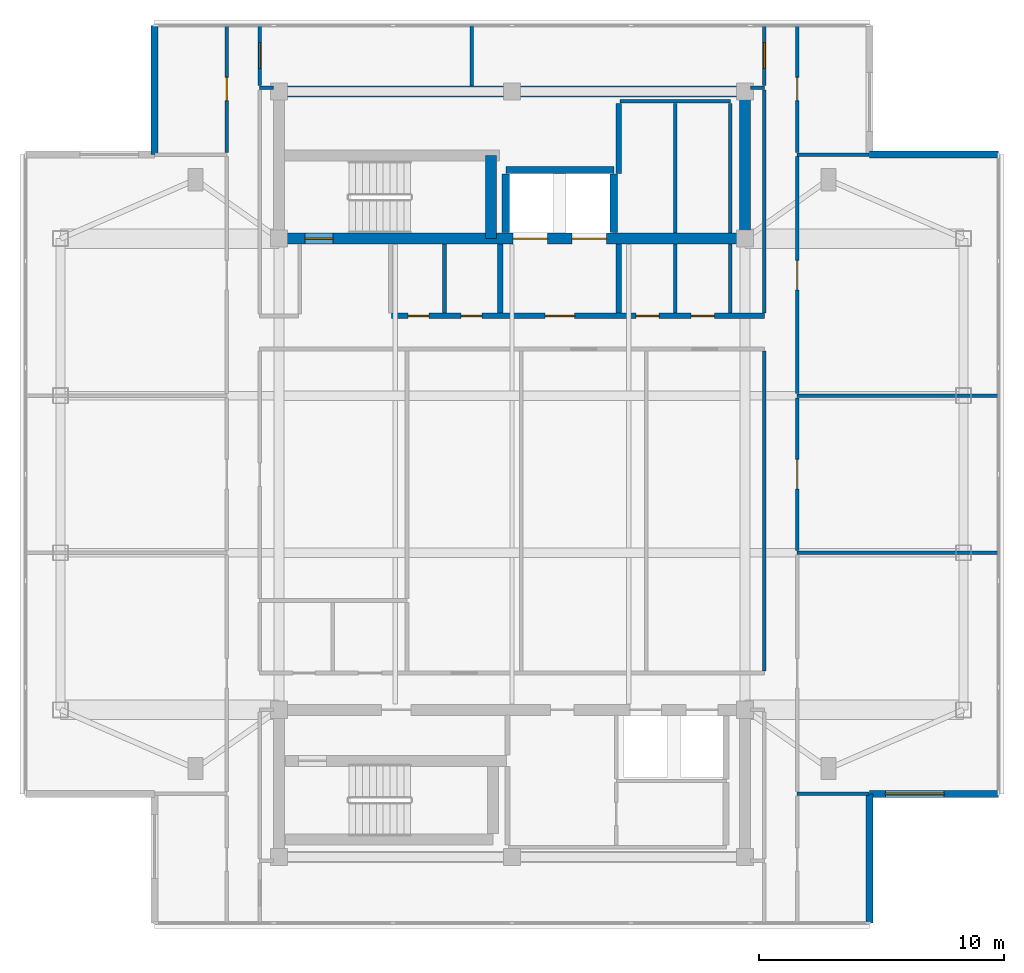
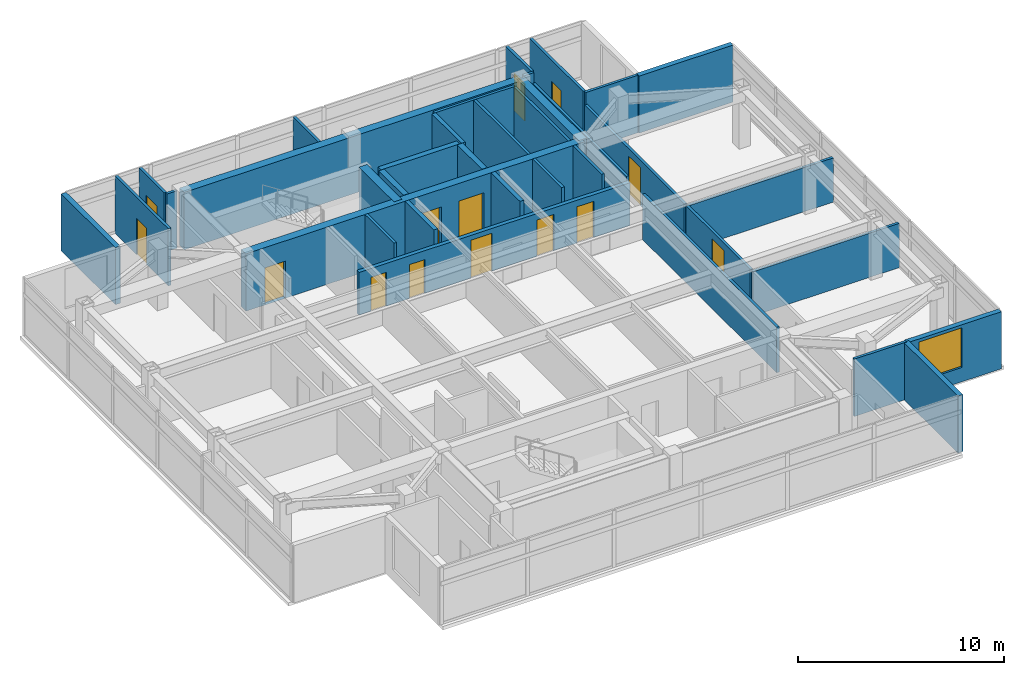
# One storey, part 6 of 10: 36 walls, 14 doors, 1 window, 15 openings.
"""IFC4 building model written with IfcOpenShell, lengths in metres."""

from ifc_helpers import new_model, si_unit, direction, frame, frame_2d, origin, place, context, subcontext, project, spatial, rectangle, extrude, material, layer, layer_set, type_object, element, fill, save


model = new_model("IFC4")

# Units and contexts
model_context = context("Model", 3, precision=1e-05, world=origin(), true_north=direction((0.0, 1.0)))
body_context = subcontext(model_context, "Body", "Model", "MODEL_VIEW")
ifc_project = project(units=[si_unit("LENGTHUNIT", "METRE"), si_unit("AREAUNIT", "SQUARE_METRE"), si_unit("VOLUMEUNIT", "CUBIC_METRE"), si_unit("PLANEANGLEUNIT", "RADIAN"), si_unit("MASSUNIT", "GRAM", prefix="KILO")], contexts=[model_context])

# Site, building, storey
site_placement = place(None, origin())
site = spatial("IfcSite", under=ifc_project, at=site_placement, CompositionType="ELEMENT")
building_placement = place(site_placement, origin())
building = spatial("IfcBuilding", under=site, at=building_placement, Name="Mirazonda Arch Towers", CompositionType="ELEMENT")
storey_placement = place(building_placement, frame((0.0, 0.0, 249.10009765625)))
storey = spatial("IfcBuildingStorey", under=building, at=storey_placement, Name="L71", CompositionType="ELEMENT", Elevation=249.10009765625)

# Walls
ifc_material_1 = material(Name="Concrete C50/60", Category="concrete")
ifc_layer_1 = layer(ifc_material_1, 0.449951171875, Name="WALL-CORE-450")
ifc_layer_set_1 = layer_set([ifc_layer_1], Name="Concrete C50/60")
wall_type_1 = type_object("IfcWallType", Name="WALL-CORE-450", PredefinedType="SHEAR", material=ifc_layer_set_1)
wall_1_placement = place(storey_placement, frame((11.0, 43.60009765625, 0.0), z_axis=(0.0, 0.0, 1.0), x_axis=(1.0, 0.0, 0.0)))
element("IfcWall", 1, at=wall_1_placement, inside=storey, type_object=wall_type_1, Name="L71 T1N-N Core Shear Wall", PredefinedType="SHEAR", context=body_context, shape_type="SweptSolid", body=[
    extrude(rectangle(XDim=19.0, YDim=0.449951171875, at=frame_2d((9.5, 0.0))), origin(), (0.0, 0.0, 1.0), 3.39990234375),
])
wall_2_placement = place(storey_placement, frame((30.0, 37.60009765625, 0.0), z_axis=(0.0, 0.0, 1.0), x_axis=(0.0, 1.0, 0.0)))
element("IfcWall", 2, at=wall_2_placement, inside=storey, type_object=wall_type_1, Name="L71 T1N-E Core Shear Wall", PredefinedType="SHEAR", context=body_context, shape_type="SweptSolid", body=[
    extrude(rectangle(XDim=6.0, YDim=0.449951171875, at=frame_2d((3.0, 0.0))), origin(), (0.0, 0.0, 1.0), 3.39990234375),
])

# Wall, openings, doors
wall_3_placement = place(storey_placement, frame((11.0, 37.60009765625, 0.0), z_axis=(0.0, 0.0, 1.0), x_axis=(1.0, 0.0, 0.0)))
wall_3 = element("IfcWall", 3, at=wall_3_placement, inside=storey, type_object=wall_type_1, Name="L71 T1N-S Core Shear Wall", PredefinedType="SHEAR", context=body_context, shape_type="SweptSolid", body=[
    extrude(rectangle(XDim=19.0, YDim=0.449951171875, at=frame_2d((9.5, 0.0))), origin(), (0.0, 0.0, 1.0), 3.39990234375),
])
opening_1_placement = place(wall_3_placement, frame((1.06005859375, 0.0, 0.0)))
opening_1 = element("IfcOpeningElement", 4, at=opening_1_placement, cuts=wall_3, Name="Opening DR-135", PredefinedType="OPENING", context=body_context, shape_type="SweptSolid", body=[
    extrude(rectangle(XDim=1.14990234375, YDim=2.199951171875, at=frame_2d((0.574951171875, 1.10009765625))), frame((0.0, 0.23486328125, 0.0), z_axis=(0.0, -1.0, 0.0), x_axis=(1.0, 0.0, 0.0)), (0.0, 0.0, 1.0), 0.469970703125),
])
opening_2_placement = place(wall_3_placement, frame((9.550048828125, 0.0, 0.0)))
opening_2 = element("IfcOpeningElement", 5, at=opening_2_placement, cuts=wall_3, Name="Opening LD-112", PredefinedType="OPENING", context=body_context, shape_type="SweptSolid", body=[
    extrude(rectangle(XDim=1.39990234375, YDim=2.35009765625, at=frame_2d((0.699951171875, 1.175048828125))), frame((0.0, 0.23486328125, 0.0), z_axis=(0.0, -1.0, 0.0), x_axis=(1.0, 0.0, 0.0)), (0.0, 0.0, 1.0), 0.469970703125),
])
opening_3_placement = place(wall_3_placement, frame((11.949951171875, 0.0, 0.0)))
opening_3 = element("IfcOpeningElement", 6, at=opening_3_placement, cuts=wall_3, Name="Opening LD-112", PredefinedType="OPENING", context=body_context, shape_type="SweptSolid", body=[
    extrude(rectangle(XDim=1.39990234375, YDim=2.35009765625, at=frame_2d((0.699951171875, 1.175048828125))), frame((0.0, 0.23486328125, 0.0), z_axis=(0.0, -1.0, 0.0), x_axis=(1.0, 0.0, 0.0)), (0.0, 0.0, 1.0), 0.469970703125),
])
ifc_material_2 = material(Name="Architectural Brushed Steel S355", Category="steel")
door_type_1 = type_object("IfcDoorType", Name="DOOR-LIFT-FFL-1400", OperationType="NOTDEFINED", PredefinedType="DOOR", material=ifc_material_2)
door_1_placement = place(opening_2_placement, origin())
door_1 = element("IfcDoor", 7, at=door_1_placement, inside=storey, type_object=door_type_1, Name="L71 Lift Landing Sliding Door FFL-T1", OperationType="DOUBLE_DOOR_SLIDING", OverallHeight=2.35009765625, OverallWidth=1.39990234375, PredefinedType="DOOR", context=body_context, shape_type="SweptSolid", body=[
    extrude(rectangle(XDim=1.39990234375, YDim=2.35009765625, at=frame_2d((0.699951171875, 1.175048828125))), frame((0.0, 0.02490234375, 0.0), z_axis=(0.0, -1.0, 0.0), x_axis=(1.0, 0.0, 0.0)), (0.0, 0.0, 1.0), 0.050048828125),
])
fill(opening_2, door_1)
door_2_placement = place(opening_3_placement, origin())
door_2 = element("IfcDoor", 8, at=door_2_placement, inside=storey, type_object=door_type_1, Name="L71 Lift Landing Sliding Door SVL-T1", OperationType="DOUBLE_DOOR_SLIDING", OverallHeight=2.35009765625, OverallWidth=1.39990234375, PredefinedType="DOOR", context=body_context, shape_type="SweptSolid", body=[
    extrude(rectangle(XDim=1.39990234375, YDim=2.35009765625, at=frame_2d((0.699951171875, 1.175048828125))), frame((0.0, 0.02490234375, 0.0), z_axis=(0.0, -1.0, 0.0), x_axis=(1.0, 0.0, 0.0)), (0.0, 0.0, 1.0), 0.050048828125),
])
fill(opening_3, door_2)
door_type_2 = type_object("IfcDoorType", Name="DOOR-STAIR-FD90-1150", OperationType="NOTDEFINED", PredefinedType="DOOR", material=ifc_material_2)
door_3_placement = place(opening_1_placement, origin())
door_3 = element("IfcDoor", 9, at=door_3_placement, inside=storey, type_object=door_type_2, Name="L71 Protected Exit Stair North Door", OperationType="SINGLE_SWING_LEFT", OverallHeight=2.199951171875, OverallWidth=1.14990234375, PredefinedType="DOOR", context=body_context, shape_type="SweptSolid", body=[
    extrude(rectangle(XDim=1.14990234375, YDim=2.199951171875, at=frame_2d((0.574951171875, 1.10009765625))), frame((0.0, 0.02490234375, 0.0), z_axis=(0.0, -1.0, 0.0), x_axis=(1.0, 0.0, 0.0)), (0.0, 0.0, 1.0), 0.050048828125),
])
fill(opening_1, door_3)

# Wall
wall_4_placement = place(storey_placement, frame((19.64990234375, 37.60009765625, 0.0), z_axis=(0.0, 0.0, 1.0), x_axis=(0.0, 1.0, 0.0)))
element("IfcWall", 10, at=wall_4_placement, inside=storey, type_object=wall_type_1, Name="L71 T1N-STE Core Shear Wall", PredefinedType="SHEAR", context=body_context, shape_type="SweptSolid", body=[
    extrude(rectangle(XDim=3.392822265625, YDim=0.449951171875, at=frame_2d((1.6962890625, 0.0))), origin(), (0.0, 0.0, 1.0), 3.39990234375),
])

# Wall, opening, window
ifc_material_3 = material(Name="Precast Concrete C40/50", Category="concrete")
ifc_layer_2 = layer(ifc_material_3, 0.280029296875, Name="WALL-EXT-WALL-280")
ifc_layer_set_2 = layer_set([ifc_layer_2], Name="Precast Concrete C40/50")
wall_type_2 = type_object("IfcWallType", Name="WALL-EXT-WALL-280", PredefinedType="SOLIDWALL", material=ifc_layer_set_2)
wall_5_placement = place(storey_placement, frame((35.06494140625, 14.97509765625, 0.0), z_axis=(0.0, 0.0, 1.0), x_axis=(1.0, 0.0, 0.0)))
wall_5 = element("IfcWall", 11, at=wall_5_placement, inside=storey, type_object=wall_type_2, Name="L71 T1 Corner Notch Return Wall WL-L71-T1-CSE1", PredefinedType="SOLIDWALL", context=body_context, shape_type="SweptSolid", body=[
    extrude(rectangle(XDim=5.26513671875, YDim=0.280029296875, at=frame_2d((2.632568359375, 0.0))), origin(), (0.0, 0.0, 1.0), 3.3798828125),
])
opening_4_placement = place(wall_5_placement, frame((0.64990234375, 0.0, 0.85009765625)))
opening_4 = element("IfcOpeningElement", 12, at=opening_4_placement, cuts=wall_5, Name="Opening WN-121", PredefinedType="OPENING", context=body_context, shape_type="SweptSolid", body=[
    extrude(rectangle(XDim=2.39990234375, YDim=2.35009765625, at=frame_2d((1.199951171875, 1.175048828125))), frame((0.0, 0.14990234375, 0.0), z_axis=(0.0, -1.0, 0.0), x_axis=(1.0, 0.0, 0.0)), (0.0, 0.0, 1.0), 0.300048828125),
])
ifc_material_4 = material(Name="Insulated Low-E Solar Glass", Category="glass")
window_type = type_object("IfcWindowType", Name="WIN-PENT-2400x2350", PartitioningType="SINGLE_PANEL", PredefinedType="WINDOW", material=ifc_material_4)
window_placement = place(opening_4_placement, origin())
window = element("IfcWindow", 13, at=window_placement, inside=storey, type_object=window_type, Name="L71 Punched Facade Window WN-L71-T1-CSE1", OverallHeight=2.35009765625, OverallWidth=2.39990234375, PartitioningType="SINGLE_PANEL", PredefinedType="WINDOW", context=body_context, shape_type="SweptSolid", body=[
    extrude(rectangle(XDim=2.39990234375, YDim=2.35009765625, at=frame_2d((1.199951171875, 1.175048828125))), frame((0.0, 0.030029296875, 0.0), z_axis=(0.0, -1.0, 0.0), x_axis=(1.0, 0.0, 0.0)), (0.0, 0.0, 1.0), 0.06005859375),
])
fill(opening_4, window)

# Walls
for number, where, z_axis, x_axis, name in (
    (14, (35.06494140625, 9.7099609375, 0.0), (0.0, 0.0, 1.0), (0.0, 1.0, 0.0), "L71 T1 Corner Notch Return Wall WL-L71-T1-CSE2"),
    (15, (5.93505859375, 46.2900390625, 0.0), (0.0, 0.0, 1.0), (0.0, -1.0, 0.0), "L71 T1 Corner Notch Return Wall WL-L71-T1-CNW2"),
    (16, (40.330078125, 41.02490234375, 0.0), (0.0, 0.0, 1.0), (-1.0, 0.0, 0.0), "L71 T1 Corner Notch Return Wall WL-L71-T1-CNE2"),
):
    element("IfcWall", number, at=place(storey_placement, frame(where, z_axis=z_axis, x_axis=x_axis)), inside=storey, type_object=wall_type_2, Name=name, PredefinedType="SOLIDWALL", context=body_context, shape_type="SweptSolid", body=[
        extrude(rectangle(XDim=5.26513671875, YDim=0.280029296875, at=frame_2d((2.632568359375, 0.0))), origin(), (0.0, 0.0, 1.0), 3.3798828125),
    ])

# Wall, openings, doors
ifc_material_5 = material(Name="Concrete C40/50", Category="concrete")
ifc_layer_3 = layer(ifc_material_5, 0.219970703125, Name="WALL-FFL-220")
ifc_layer_set_3 = layer_set([ifc_layer_3], Name="Concrete C40/50")
wall_type_3 = type_object("IfcWallType", Name="WALL-FFL-220", PredefinedType="SOLIDWALL", material=ifc_layer_set_3)
wall_6_placement = place(storey_placement, frame((15.590087890625, 34.449951171875, 0.0), z_axis=(0.0, 0.0, 1.0), x_axis=(1.0, 0.0, 0.0)))
wall_6 = element("IfcWall", 17, at=wall_6_placement, inside=storey, type_object=wall_type_3, Name="L71 Interior Partition 019", PredefinedType="SOLIDWALL", context=body_context, shape_type="SweptSolid", body=[
    extrude(rectangle(XDim=15.18994140625, YDim=0.219970703125, at=frame_2d((7.594970703125, 0.0))), origin(), (0.0, 0.0, 1.0), 2.535888671875),
])
opening_5_placement = place(wall_6_placement, frame((6.260009765625, 0.0, 0.0)))
opening_5 = element("IfcOpeningElement", 18, at=opening_5_placement, cuts=wall_6, Name="Opening DR-117", PredefinedType="OPENING", context=body_context, shape_type="SweptSolid", body=[
    extrude(rectangle(XDim=1.199951171875, YDim=2.25, at=frame_2d((0.60009765625, 1.125))), frame((0.0, 0.119873046875, 0.0), z_axis=(0.0, -1.0, 0.0), x_axis=(1.0, 0.0, 0.0)), (0.0, 0.0, 1.0), 0.239990234375),
])
opening_6_placement = place(wall_6_placement, frame((9.9599609375, 0.0, 0.0)))
opening_6 = element("IfcOpeningElement", 19, at=opening_6_placement, cuts=wall_6, Name="Opening DR-104", PredefinedType="OPENING", context=body_context, shape_type="SweptSolid", body=[
    extrude(rectangle(XDim=0.949951171875, YDim=2.14990234375, at=frame_2d((0.47509765625, 1.074951171875))), frame((0.0, 0.119873046875, 0.0), z_axis=(0.0, -1.0, 0.0), x_axis=(1.0, 0.0, 0.0)), (0.0, 0.0, 1.0), 0.239990234375),
])
opening_7_placement = place(wall_6_placement, frame((12.2099609375, 0.0, 0.0)))
opening_7 = element("IfcOpeningElement", 20, at=opening_7_placement, cuts=wall_6, Name="Opening DR-104", PredefinedType="OPENING", context=body_context, shape_type="SweptSolid", body=[
    extrude(rectangle(XDim=0.949951171875, YDim=2.14990234375, at=frame_2d((0.47509765625, 1.074951171875))), frame((0.0, 0.119873046875, 0.0), z_axis=(0.0, -1.0, 0.0), x_axis=(1.0, 0.0, 0.0)), (0.0, 0.0, 1.0), 0.239990234375),
])
opening_8_placement = place(wall_6_placement, frame((0.675048828125, 0.0, 0.0)))
opening_8 = element("IfcOpeningElement", 21, at=opening_8_placement, cuts=wall_6, Name="Opening DR-128", PredefinedType="OPENING", context=body_context, shape_type="SweptSolid", body=[
    extrude(rectangle(XDim=0.85009765625, YDim=2.010009765625, at=frame_2d((0.425048828125, 1.0048828125))), frame((0.0, 0.119873046875, 0.0), z_axis=(0.0, -1.0, 0.0), x_axis=(1.0, 0.0, 0.0)), (0.0, 0.0, 1.0), 0.239990234375),
])
opening_9_placement = place(wall_6_placement, frame((2.8349609375, 0.0, 0.0)))
opening_9 = element("IfcOpeningElement", 22, at=opening_9_placement, cuts=wall_6, Name="Opening DR-128", PredefinedType="OPENING", context=body_context, shape_type="SweptSolid", body=[
    extrude(rectangle(XDim=0.85009765625, YDim=2.010009765625, at=frame_2d((0.425048828125, 1.0048828125))), frame((0.0, 0.119873046875, 0.0), z_axis=(0.0, -1.0, 0.0), x_axis=(1.0, 0.0, 0.0)), (0.0, 0.0, 1.0), 0.239990234375),
])
door_type_3 = type_object("IfcDoorType", Name="DOOR-FFL-FD90-1200", OperationType="NOTDEFINED", PredefinedType="DOOR", material=ifc_material_2)
door_4_placement = place(opening_5_placement, origin())
door_4 = element("IfcDoor", 23, at=door_4_placement, inside=storey, type_object=door_type_3, Name="L71 Firefighting Lift Lobby Door", OperationType="SINGLE_SWING_RIGHT", OverallHeight=2.25, OverallWidth=1.199951171875, PredefinedType="DOOR", context=body_context, shape_type="SweptSolid", body=[
    extrude(rectangle(XDim=1.199951171875, YDim=2.25, at=frame_2d((0.60009765625, 1.125))), frame((0.0, 0.02490234375, 0.0), z_axis=(0.0, -1.0, 0.0), x_axis=(1.0, 0.0, 0.0)), (0.0, 0.0, 1.0), 0.050048828125),
])
fill(opening_5, door_4)
door_type_4 = type_object("IfcDoorType", Name="DOOR-RISER-FD60-850", OperationType="NOTDEFINED", PredefinedType="DOOR", material=ifc_material_2)
door_5_placement = place(opening_8_placement, origin())
door_5 = element("IfcDoor", 24, at=door_5_placement, inside=storey, type_object=door_type_4, Name="L71 Electrical Room Door", OperationType="SINGLE_SWING_LEFT", OverallHeight=2.010009765625, OverallWidth=0.85009765625, PredefinedType="DOOR", context=body_context, shape_type="SweptSolid", body=[
    extrude(rectangle(XDim=0.85009765625, YDim=2.010009765625, at=frame_2d((0.425048828125, 1.0048828125))), frame((0.0, 0.02490234375, 0.0), z_axis=(0.0, -1.0, 0.0), x_axis=(1.0, 0.0, 0.0)), (0.0, 0.0, 1.0), 0.050048828125),
])
fill(opening_8, door_5)
door_6_placement = place(opening_9_placement, origin())
door_6 = element("IfcDoor", 25, at=door_6_placement, inside=storey, type_object=door_type_4, Name="L71 Cleaners & Housekeeping Store Door", OperationType="SINGLE_SWING_RIGHT", OverallHeight=2.010009765625, OverallWidth=0.85009765625, PredefinedType="DOOR", context=body_context, shape_type="SweptSolid", body=[
    extrude(rectangle(XDim=0.85009765625, YDim=2.010009765625, at=frame_2d((0.425048828125, 1.0048828125))), frame((0.0, 0.02490234375, 0.0), z_axis=(0.0, -1.0, 0.0), x_axis=(1.0, 0.0, 0.0)), (0.0, 0.0, 1.0), 0.050048828125),
])
fill(opening_9, door_6)
door_type_5 = type_object("IfcDoorType", Name="DOOR-ROOM-950", OperationType="NOTDEFINED", PredefinedType="DOOR", material=ifc_material_2)
door_7_placement = place(opening_6_placement, origin())
door_7 = element("IfcDoor", 26, at=door_7_placement, inside=storey, type_object=door_type_5, Name="L71 Sky-Lookout Panorama Gallery Door", OperationType="SINGLE_SWING_LEFT", OverallHeight=2.14990234375, OverallWidth=0.949951171875, PredefinedType="DOOR", context=body_context, shape_type="SweptSolid", body=[
    extrude(rectangle(XDim=0.949951171875, YDim=2.14990234375, at=frame_2d((0.47509765625, 1.074951171875))), frame((0.0, 0.02490234375, 0.0), z_axis=(0.0, -1.0, 0.0), x_axis=(1.0, 0.0, 0.0)), (0.0, 0.0, 1.0), 0.050048828125),
])
fill(opening_6, door_7)
door_8_placement = place(opening_7_placement, origin())
door_8 = element("IfcDoor", 27, at=door_8_placement, inside=storey, type_object=door_type_5, Name="L71 Private Quiet Study Door", OperationType="SINGLE_SWING_RIGHT", OverallHeight=2.14990234375, OverallWidth=0.949951171875, PredefinedType="DOOR", context=body_context, shape_type="SweptSolid", body=[
    extrude(rectangle(XDim=0.949951171875, YDim=2.14990234375, at=frame_2d((0.47509765625, 1.074951171875))), frame((0.0, 0.02490234375, 0.0), z_axis=(0.0, -1.0, 0.0), x_axis=(1.0, 0.0, 0.0)), (0.0, 0.0, 1.0), 0.050048828125),
])
fill(opening_7, door_8)

# Walls
for number, where, z_axis, x_axis, name in (
    (28, (20.02490234375, 34.570068359375, 0.0), (0.0, 0.0, 1.0), (0.0, 1.0, 0.0), "L71 Interior Partition 045"),
    (29, (24.85009765625, 34.570068359375, 0.0), (0.0, 0.0, 1.0), (0.0, 1.0, 0.0), "L71 Interior Partition 053"),
):
    element("IfcWall", number, at=place(storey_placement, frame(where, z_axis=z_axis, x_axis=x_axis)), inside=storey, type_object=wall_type_3, Name=name, PredefinedType="SOLIDWALL", context=body_context, shape_type="SweptSolid", body=[
        extrude(rectangle(XDim=2.809814453125, YDim=0.219970703125, at=frame_2d((1.40478515625, 0.0))), origin(), (0.0, 0.0, 1.0), 3.39990234375),
    ])
wall_7_placement = place(storey_placement, frame((24.85009765625, 40.260009765625, 0.0), z_axis=(0.0, 0.0, 1.0), x_axis=(0.0, 1.0, 0.0)))
element("IfcWall", 30, at=wall_7_placement, inside=storey, type_object=wall_type_3, Name="L71 Interior Partition 054", PredefinedType="SOLIDWALL", context=body_context, shape_type="SweptSolid", body=[
    extrude(rectangle(XDim=2.85498046875, YDim=0.219970703125, at=frame_2d((1.427490234375, 0.0))), origin(), (0.0, 0.0, 1.0), 3.39990234375),
])
ifc_material_6 = material(Name="Fire-Rated Gypsum Stud Partition")
ifc_layer_4 = layer(ifc_material_6, 0.14990234375, Name="WALL-PART-CORR-150")
ifc_layer_set_4 = layer_set([ifc_layer_4], Name="Fire-Rated Gypsum Stud Partition")
wall_type_4 = type_object("IfcWallType", Name="WALL-PART-CORR-150", PredefinedType="PARTITIONING", material=ifc_layer_set_4)
wall_8_placement = place(storey_placement, frame((32.1201171875, 14.97509765625, 0.0), z_axis=(0.0, 0.0, 1.0), x_axis=(1.0, 0.0, 0.0)))
element("IfcWall", 31, at=wall_8_placement, inside=storey, type_object=wall_type_4, Name="L71 Interior Partition 006", PredefinedType="PARTITIONING", context=body_context, shape_type="SweptSolid", body=[
    extrude(rectangle(XDim=2.9248046875, YDim=0.14990234375, at=frame_2d((1.46240234375, 0.0))), origin(), (0.0, 0.0, 1.0), 3.39990234375),
])
for number, where, z_axis, x_axis, name in (
    (32, (32.1201171875, 24.800048828125, 0.0), (0.0, 0.0, 1.0), (1.0, 0.0, 0.0), "L71 Interior Partition 014"),
    (33, (32.1201171875, 31.199951171875, 0.0), (0.0, 0.0, 1.0), (1.0, 0.0, 0.0), "L71 Interior Partition 016"),
):
    element("IfcWall", number, at=place(storey_placement, frame(where, z_axis=z_axis, x_axis=x_axis)), inside=storey, type_object=wall_type_4, Name=name, PredefinedType="PARTITIONING", context=body_context, shape_type="SweptSolid", body=[
        extrude(rectangle(XDim=8.2099609375, YDim=0.14990234375, at=frame_2d((4.10498046875, 0.0))), origin(), (0.0, 0.0, 1.0), 2.618896484375),
    ])
wall_9_placement = place(storey_placement, frame((32.1201171875, 41.02490234375, 0.0), z_axis=(0.0, 0.0, 1.0), x_axis=(1.0, 0.0, 0.0)))
element("IfcWall", 34, at=wall_9_placement, inside=storey, type_object=wall_type_4, Name="L71 Interior Partition 022", PredefinedType="PARTITIONING", context=body_context, shape_type="SweptSolid", body=[
    extrude(rectangle(XDim=2.9248046875, YDim=0.14990234375, at=frame_2d((1.46240234375, 0.0))), origin(), (0.0, 0.0, 1.0), 3.39990234375),
])
wall_10_placement = place(storey_placement, frame((24.89990234375, 43.199951171875, 0.0), z_axis=(0.0, 0.0, 1.0), x_axis=(1.0, 0.0, 0.0)))
element("IfcWall", 35, at=wall_10_placement, inside=storey, type_object=wall_type_4, Name="L71 Interior Partition 023", PredefinedType="PARTITIONING", context=body_context, shape_type="SweptSolid", body=[
    extrude(rectangle(XDim=4.5, YDim=0.14990234375, at=frame_2d((2.25, 0.0))), origin(), (0.0, 0.0, 1.0), 3.39990234375),
])
for number, where, z_axis, x_axis, name in (
    (36, (10.219970703125, 43.75, 0.0), (0.0, 0.0, 1.0), (1.0, 0.0, 0.0), "L71 Interior Partition 024"),
    (37, (30.219970703125, 43.75, 0.0), (0.0, 0.0, 1.0), (1.0, 0.0, 0.0), "L71 Interior Partition 025"),
):
    element("IfcWall", number, at=place(storey_placement, frame(where, z_axis=z_axis, x_axis=x_axis)), inside=storey, type_object=wall_type_4, Name=name, PredefinedType="PARTITIONING", context=body_context, shape_type="SweptSolid", body=[
        extrude(rectangle(XDim=0.56005859375, YDim=0.14990234375, at=frame_2d((0.280029296875, 0.0))), origin(), (0.0, 0.0, 1.0), 3.39990234375),
    ])

# Wall, opening, door
wall_11_placement = place(storey_placement, frame((8.8798828125, 41.110107421875, 0.0), z_axis=(0.0, 0.0, 1.0), x_axis=(0.0, 1.0, 0.0)))
wall_11 = element("IfcWall", 38, at=wall_11_placement, inside=storey, type_object=wall_type_4, Name="L71 Interior Partition 030", PredefinedType="PARTITIONING", context=body_context, shape_type="SweptSolid", body=[
    extrude(rectangle(XDim=5.179931640625, YDim=0.14990234375, at=frame_2d((2.58984375, 0.0))), origin(), (0.0, 0.0, 1.0), 3.39990234375),
])
opening_10_placement = place(wall_11_placement, frame((2.114990234375, 0.0, 0.0)))
opening_10 = element("IfcOpeningElement", 39, at=opening_10_placement, cuts=wall_11, Name="Opening DR-104", PredefinedType="OPENING", context=body_context, shape_type="SweptSolid", body=[
    extrude(rectangle(XDim=0.949951171875, YDim=2.14990234375, at=frame_2d((0.47509765625, 1.074951171875))), frame((0.0, 0.0849609375, 0.0), z_axis=(0.0, -1.0, 0.0), x_axis=(1.0, 0.0, 0.0)), (0.0, 0.0, 1.0), 0.169921875),
])
door_9_placement = place(opening_10_placement, origin())
door_9 = element("IfcDoor", 40, at=door_9_placement, inside=storey, type_object=door_type_5, Name="L71 North Skyline Gallery Alcove West Door", OperationType="SINGLE_SWING_RIGHT", OverallHeight=2.14990234375, OverallWidth=0.949951171875, PredefinedType="DOOR", context=body_context, shape_type="SweptSolid", body=[
    extrude(rectangle(XDim=0.949951171875, YDim=2.14990234375, at=frame_2d((0.47509765625, 1.074951171875))), frame((0.0, 0.02490234375, 0.0), z_axis=(0.0, -1.0, 0.0), x_axis=(1.0, 0.0, 0.0)), (0.0, 0.0, 1.0), 0.050048828125),
])
fill(opening_10, door_9)

wall_12_placement = place(storey_placement, frame((10.219970703125, 43.8349609375, 0.0), z_axis=(0.0, 0.0, 1.0), x_axis=(0.0, 1.0, 0.0)))
wall_12 = element("IfcWall", 41, at=wall_12_placement, inside=storey, type_object=wall_type_4, Name="L71 Interior Partition 036", PredefinedType="PARTITIONING", context=body_context, shape_type="SweptSolid", body=[
    extrude(rectangle(XDim=2.455078125, YDim=0.14990234375, at=frame_2d((1.2275390625, 0.0))), origin(), (0.0, 0.0, 1.0), 3.39990234375),
])
opening_11_placement = place(wall_12_placement, frame((0.702392578125, 0.0, 0.0)))
opening_11 = element("IfcOpeningElement", 42, at=opening_11_placement, cuts=wall_12, Name="Opening DR-121", PredefinedType="OPENING", context=body_context, shape_type="SweptSolid", body=[
    extrude(rectangle(XDim=1.050048828125, YDim=2.199951171875, at=frame_2d((0.52490234375, 1.10009765625))), frame((0.0, 0.0849609375, 0.0), z_axis=(0.0, -1.0, 0.0), x_axis=(1.0, 0.0, 0.0)), (0.0, 0.0, 1.0), 0.169921875),
])
door_type_6 = type_object("IfcDoorType", Name="DOOR-SUITE-FD60-1050", OperationType="NOTDEFINED", PredefinedType="DOOR", material=ifc_material_2)
door_10_placement = place(opening_11_placement, origin())
door_10 = element("IfcDoor", 43, at=door_10_placement, inside=storey, type_object=door_type_6, Name="L71 North Skyline Gallery West Door", OperationType="SINGLE_SWING_RIGHT", OverallHeight=2.199951171875, OverallWidth=1.050048828125, PredefinedType="DOOR", context=body_context, shape_type="SweptSolid", body=[
    extrude(rectangle(XDim=1.050048828125, YDim=2.199951171875, at=frame_2d((0.52490234375, 1.10009765625))), frame((0.0, 0.02490234375, 0.0), z_axis=(0.0, -1.0, 0.0), x_axis=(1.0, 0.0, 0.0)), (0.0, 0.0, 1.0), 0.050048828125),
])
fill(opening_11, door_10)

# Walls
wall_13_placement = place(storey_placement, frame((17.75, 34.570068359375, 0.0), z_axis=(0.0, 0.0, 1.0), x_axis=(0.0, 1.0, 0.0)))
element("IfcWall", 44, at=wall_13_placement, inside=storey, type_object=wall_type_4, Name="L71 Interior Partition 042", PredefinedType="PARTITIONING", context=body_context, shape_type="SweptSolid", body=[
    extrude(rectangle(XDim=2.809814453125, YDim=0.14990234375, at=frame_2d((1.40478515625, 0.0))), origin(), (0.0, 0.0, 1.0), 3.39990234375),
])
wall_14_placement = place(storey_placement, frame((18.85498046875, 43.820068359375, 0.0), z_axis=(0.0, 0.0, 1.0), x_axis=(0.0, 1.0, 0.0)))
element("IfcWall", 45, at=wall_14_placement, inside=storey, type_object=wall_type_4, Name="L71 Interior Partition 043", PredefinedType="PARTITIONING", context=body_context, shape_type="SweptSolid", body=[
    extrude(rectangle(XDim=2.469970703125, YDim=0.14990234375, at=frame_2d((1.23486328125, 0.0))), origin(), (0.0, 0.0, 1.0), 3.39990234375),
])
wall_15_placement = place(storey_placement, frame((27.14990234375, 34.570068359375, 0.0), z_axis=(0.0, 0.0, 1.0), x_axis=(0.0, 1.0, 0.0)))
element("IfcWall", 46, at=wall_15_placement, inside=storey, type_object=wall_type_4, Name="L71 Interior Partition 056", PredefinedType="PARTITIONING", context=body_context, shape_type="SweptSolid", body=[
    extrude(rectangle(XDim=2.809814453125, YDim=0.14990234375, at=frame_2d((1.40478515625, 0.0))), origin(), (0.0, 0.0, 1.0), 3.39990234375),
])
wall_16_placement = place(storey_placement, frame((27.14990234375, 37.820068359375, 0.0), z_axis=(0.0, 0.0, 1.0), x_axis=(0.0, 1.0, 0.0)))
element("IfcWall", 47, at=wall_16_placement, inside=storey, type_object=wall_type_4, Name="L71 Interior Partition 057", PredefinedType="PARTITIONING", context=body_context, shape_type="SweptSolid", body=[
    extrude(rectangle(XDim=5.294921875, YDim=0.14990234375, at=frame_2d((2.6474609375, 0.0))), origin(), (0.0, 0.0, 1.0), 3.39990234375),
])
wall_17_placement = place(storey_placement, frame((29.39990234375, 34.570068359375, 0.0), z_axis=(0.0, 0.0, 1.0), x_axis=(0.0, 1.0, 0.0)))
element("IfcWall", 48, at=wall_17_placement, inside=storey, type_object=wall_type_4, Name="L71 Interior Partition 060", PredefinedType="PARTITIONING", context=body_context, shape_type="SweptSolid", body=[
    extrude(rectangle(XDim=2.809814453125, YDim=0.14990234375, at=frame_2d((1.40478515625, 0.0))), origin(), (0.0, 0.0, 1.0), 3.39990234375),
])
wall_18_placement = place(storey_placement, frame((29.39990234375, 37.820068359375, 0.0), z_axis=(0.0, 0.0, 1.0), x_axis=(0.0, 1.0, 0.0)))
element("IfcWall", 49, at=wall_18_placement, inside=storey, type_object=wall_type_4, Name="L71 Interior Partition 061", PredefinedType="PARTITIONING", context=body_context, shape_type="SweptSolid", body=[
    extrude(rectangle(XDim=5.294921875, YDim=0.14990234375, at=frame_2d((2.6474609375, 0.0))), origin(), (0.0, 0.0, 1.0), 3.39990234375),
])
wall_19_placement = place(storey_placement, frame((30.780029296875, 19.985107421875, 0.0), z_axis=(0.0, 0.0, 1.0), x_axis=(0.0, 1.0, 0.0)))
element("IfcWall", 50, at=wall_19_placement, inside=storey, type_object=wall_type_4, Name="L71 Interior Partition 064", PredefinedType="PARTITIONING", context=body_context, shape_type="SweptSolid", body=[
    extrude(rectangle(XDim=13.02978515625, YDim=0.14990234375, at=frame_2d((6.514892578125, 0.0))), origin(), (0.0, 0.0, 1.0), 2.69580078125),
])
wall_20_placement = place(storey_placement, frame((30.780029296875, 34.570068359375, 0.0), z_axis=(0.0, 0.0, 1.0), x_axis=(0.0, 1.0, 0.0)))
element("IfcWall", 51, at=wall_20_placement, inside=storey, type_object=wall_type_4, Name="L71 Interior Partition 065", PredefinedType="PARTITIONING", context=body_context, shape_type="SweptSolid", body=[
    extrude(rectangle(XDim=9.094970703125, YDim=0.14990234375, at=frame_2d((4.54736328125, 0.0))), origin(), (0.0, 0.0, 1.0), 2.7919921875),
])

# Wall, opening, door
wall_21_placement = place(storey_placement, frame((30.780029296875, 43.8349609375, 0.0), z_axis=(0.0, 0.0, 1.0), x_axis=(0.0, 1.0, 0.0)))
wall_21 = element("IfcWall", 52, at=wall_21_placement, inside=storey, type_object=wall_type_4, Name="L71 Interior Partition 066", PredefinedType="PARTITIONING", context=body_context, shape_type="SweptSolid", body=[
    extrude(rectangle(XDim=2.455078125, YDim=0.14990234375, at=frame_2d((1.2275390625, 0.0))), origin(), (0.0, 0.0, 1.0), 3.39990234375),
])
opening_12_placement = place(wall_21_placement, frame((0.702392578125, 0.0, 0.0)))
opening_12 = element("IfcOpeningElement", 53, at=opening_12_placement, cuts=wall_21, Name="Opening DR-121", PredefinedType="OPENING", context=body_context, shape_type="SweptSolid", body=[
    extrude(rectangle(XDim=1.050048828125, YDim=2.199951171875, at=frame_2d((0.52490234375, 1.10009765625))), frame((0.0, 0.0849609375, 0.0), z_axis=(0.0, -1.0, 0.0), x_axis=(1.0, 0.0, 0.0)), (0.0, 0.0, 1.0), 0.169921875),
])
door_11_placement = place(opening_12_placement, origin())
door_11 = element("IfcDoor", 54, at=door_11_placement, inside=storey, type_object=door_type_6, Name="L71 North Skyline Gallery East Door", OperationType="SINGLE_SWING_LEFT", OverallHeight=2.199951171875, OverallWidth=1.050048828125, PredefinedType="DOOR", context=body_context, shape_type="SweptSolid", body=[
    extrude(rectangle(XDim=1.050048828125, YDim=2.199951171875, at=frame_2d((0.52490234375, 1.10009765625))), frame((0.0, 0.02490234375, 0.0), z_axis=(0.0, -1.0, 0.0), x_axis=(1.0, 0.0, 0.0)), (0.0, 0.0, 1.0), 0.050048828125),
])
fill(opening_12, door_11)

wall_22_placement = place(storey_placement, frame((32.1201171875, 24.885009765625, 0.0), z_axis=(0.0, 0.0, 1.0), x_axis=(0.0, 1.0, 0.0)))
wall_22 = element("IfcWall", 55, at=wall_22_placement, inside=storey, type_object=wall_type_4, Name="L71 Interior Partition 069", PredefinedType="PARTITIONING", context=body_context, shape_type="SweptSolid", body=[
    extrude(rectangle(XDim=6.22998046875, YDim=0.14990234375, at=frame_2d((3.114990234375, 0.0))), origin(), (0.0, 0.0, 1.0), 2.69580078125),
])
opening_13_placement = place(wall_22_placement, frame((2.514892578125, 0.0, 0.0)))
opening_13 = element("IfcOpeningElement", 56, at=opening_13_placement, cuts=wall_22, Name="Opening DR-117", PredefinedType="OPENING", context=body_context, shape_type="SweptSolid", body=[
    extrude(rectangle(XDim=1.199951171875, YDim=2.25, at=frame_2d((0.60009765625, 1.125))), frame((0.0, 0.0849609375, 0.0), z_axis=(0.0, -1.0, 0.0), x_axis=(1.0, 0.0, 0.0)), (0.0, 0.0, 1.0), 0.169921875),
])
door_12_placement = place(opening_13_placement, origin())
door_12 = element("IfcDoor", 57, at=door_12_placement, inside=storey, type_object=door_type_3, Name="L71 Interactive City Heritage Gallery 2 Door", OperationType="SINGLE_SWING_RIGHT", OverallHeight=2.25, OverallWidth=1.199951171875, PredefinedType="DOOR", context=body_context, shape_type="SweptSolid", body=[
    extrude(rectangle(XDim=1.199951171875, YDim=2.25, at=frame_2d((0.60009765625, 1.125))), frame((0.0, 0.02490234375, 0.0), z_axis=(0.0, -1.0, 0.0), x_axis=(1.0, 0.0, 0.0)), (0.0, 0.0, 1.0), 0.050048828125),
])
fill(opening_13, door_12)

wall_23_placement = place(storey_placement, frame((32.1201171875, 31.284912109375, 0.0), z_axis=(0.0, 0.0, 1.0), x_axis=(0.0, 1.0, 0.0)))
wall_23 = element("IfcWall", 58, at=wall_23_placement, inside=storey, type_object=wall_type_4, Name="L71 Interior Partition 070", PredefinedType="PARTITIONING", context=body_context, shape_type="SweptSolid", body=[
    extrude(rectangle(XDim=9.655029296875, YDim=0.14990234375, at=frame_2d((4.82763671875, 0.0))), origin(), (0.0, 0.0, 1.0), 2.69580078125),
])
opening_14_placement = place(wall_23_placement, frame((4.2275390625, 0.0, 0.0)))
opening_14 = element("IfcOpeningElement", 59, at=opening_14_placement, cuts=wall_23, Name="Opening DR-117", PredefinedType="OPENING", context=body_context, shape_type="SweptSolid", body=[
    extrude(rectangle(XDim=1.199951171875, YDim=2.25, at=frame_2d((0.60009765625, 1.125))), frame((0.0, 0.0849609375, 0.0), z_axis=(0.0, -1.0, 0.0), x_axis=(1.0, 0.0, 0.0)), (0.0, 0.0, 1.0), 0.169921875),
])
door_13_placement = place(opening_14_placement, origin())
door_13 = element("IfcDoor", 60, at=door_13_placement, inside=storey, type_object=door_type_3, Name="L71 High-Altitude Telescope Salon 3 Door", OperationType="SINGLE_SWING_LEFT", OverallHeight=2.25, OverallWidth=1.199951171875, PredefinedType="DOOR", context=body_context, shape_type="SweptSolid", body=[
    extrude(rectangle(XDim=1.199951171875, YDim=2.25, at=frame_2d((0.60009765625, 1.125))), frame((0.0, 0.02490234375, 0.0), z_axis=(0.0, -1.0, 0.0), x_axis=(1.0, 0.0, 0.0)), (0.0, 0.0, 1.0), 0.050048828125),
])
fill(opening_14, door_13)

wall_24_placement = place(storey_placement, frame((32.1201171875, 41.110107421875, 0.0), z_axis=(0.0, 0.0, 1.0), x_axis=(0.0, 1.0, 0.0)))
wall_24 = element("IfcWall", 61, at=wall_24_placement, inside=storey, type_object=wall_type_4, Name="L71 Interior Partition 071", PredefinedType="PARTITIONING", context=body_context, shape_type="SweptSolid", body=[
    extrude(rectangle(XDim=5.179931640625, YDim=0.14990234375, at=frame_2d((2.58984375, 0.0))), origin(), (0.0, 0.0, 1.0), 3.39990234375),
])
opening_15_placement = place(wall_24_placement, frame((2.114990234375, 0.0, 0.0)))
opening_15 = element("IfcOpeningElement", 62, at=opening_15_placement, cuts=wall_24, Name="Opening DR-104", PredefinedType="OPENING", context=body_context, shape_type="SweptSolid", body=[
    extrude(rectangle(XDim=0.949951171875, YDim=2.14990234375, at=frame_2d((0.47509765625, 1.074951171875))), frame((0.0, 0.0849609375, 0.0), z_axis=(0.0, -1.0, 0.0), x_axis=(1.0, 0.0, 0.0)), (0.0, 0.0, 1.0), 0.169921875),
])
door_14_placement = place(opening_15_placement, origin())
door_14 = element("IfcDoor", 63, at=door_14_placement, inside=storey, type_object=door_type_5, Name="L71 North Skyline Gallery Alcove East Door", OperationType="SINGLE_SWING_LEFT", OverallHeight=2.14990234375, OverallWidth=0.949951171875, PredefinedType="DOOR", context=body_context, shape_type="SweptSolid", body=[
    extrude(rectangle(XDim=0.949951171875, YDim=2.14990234375, at=frame_2d((0.47509765625, 1.074951171875))), frame((0.0, 0.02490234375, 0.0), z_axis=(0.0, -1.0, 0.0), x_axis=(1.0, 0.0, 0.0)), (0.0, 0.0, 1.0), 0.050048828125),
])
fill(opening_15, door_14)

# Walls
ifc_layer_5 = layer(ifc_material_1, 0.300048828125, Name="WALL-SHAFT-300")
ifc_layer_set_5 = layer_set([ifc_layer_5], Name="Concrete C50/60")
wall_type_5 = type_object("IfcWallType", Name="WALL-SHAFT-300", PredefinedType="SOLIDWALL", material=ifc_layer_set_5)
wall_25_placement = place(storey_placement, frame((20.25, 40.39990234375, 0.0), z_axis=(0.0, 0.0, 1.0), x_axis=(1.0, 0.0, 0.0)))
element("IfcWall", 64, at=wall_25_placement, inside=storey, type_object=wall_type_5, Name="L71 Interior Partition 020", PredefinedType="SOLIDWALL", context=body_context, shape_type="SweptSolid", body=[
    extrude(rectangle(XDim=4.39990234375, YDim=0.300048828125, at=frame_2d((2.199951171875, 0.0))), origin(), (0.0, 0.0, 1.0), 3.39990234375),
])
for number, where, z_axis, x_axis, name in (
    (65, (20.25, 37.85009765625, 0.0), (0.0, 0.0, 1.0), (0.0, 1.0, 0.0), "L71 Interior Partition 048"),
    (66, (24.64990234375, 37.85009765625, 0.0), (0.0, 0.0, 1.0), (0.0, 1.0, 0.0), "L71 Interior Partition 052"),
):
    element("IfcWall", number, at=place(storey_placement, frame(where, z_axis=z_axis, x_axis=x_axis)), inside=storey, type_object=wall_type_5, Name=name, PredefinedType="SOLIDWALL", context=body_context, shape_type="SweptSolid", body=[
        extrude(rectangle(XDim=2.389892578125, YDim=0.300048828125, at=frame_2d((1.19482421875, 0.0))), origin(), (0.0, 0.0, 1.0), 3.39990234375),
    ])

save(model, "model.ifc")
